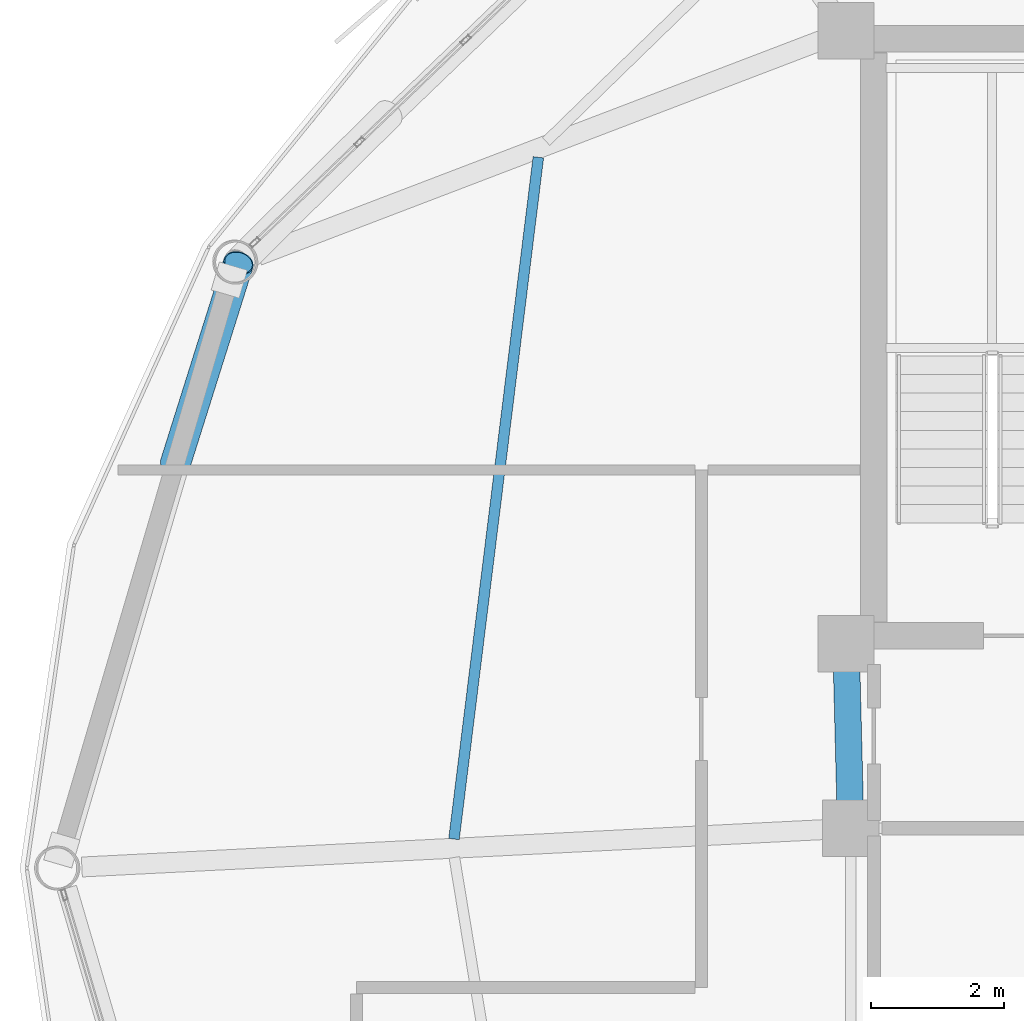
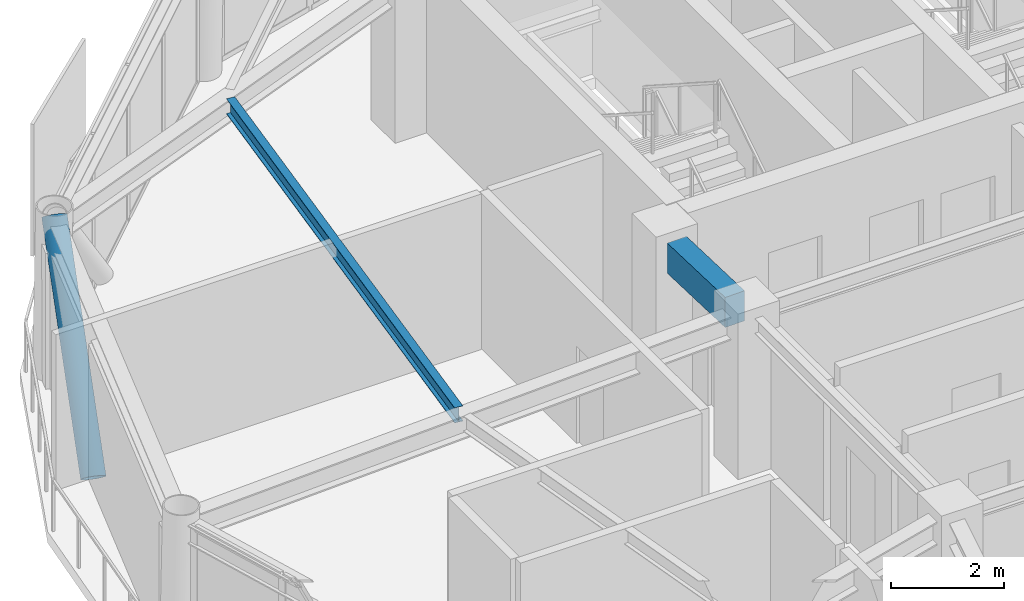
# One storey, part 12 of 28: 2 beams, 1 member.
"""IFC4 building model written with IfcOpenShell, lengths in metres."""

from ifc_helpers import new_model, si_unit, direction, frame, origin, origin_2d, place, context, subcontext, project, spatial, rectangle, hollow_circle, i_section, extrude, material, material_profile, profile_set, type_object, element, save


model = new_model("IFC4")

# Units and contexts
model_context = context("Model", 3, precision=1e-05, world=origin(), true_north=direction((0.0, 1.0)))
body_context = subcontext(model_context, "Body", "Model", "MODEL_VIEW")
ifc_project = project(units=[si_unit("LENGTHUNIT", "METRE"), si_unit("AREAUNIT", "SQUARE_METRE"), si_unit("VOLUMEUNIT", "CUBIC_METRE"), si_unit("PLANEANGLEUNIT", "RADIAN"), si_unit("MASSUNIT", "GRAM", prefix="KILO")], contexts=[model_context])

# Site, building, storey
site_placement = place(None, origin())
site = spatial("IfcSite", under=ifc_project, at=site_placement, CompositionType="ELEMENT")
building_placement = place(site_placement, origin())
building = spatial("IfcBuilding", under=site, at=building_placement, Name="Varnakorn Sky Granary", CompositionType="ELEMENT")
storey_placement = place(building_placement, frame((0.0, 0.0, 211.199951171875)))
storey = spatial("IfcBuildingStorey", under=building, at=storey_placement, Name="L53", CompositionType="ELEMENT", Elevation=211.199951171875)

# Beams
ifc_material_1 = material(Name="Concrete C50/60", Category="concrete")
ifc_material_profile_1 = material_profile(ifc_material_1, rectangle(XDim=0.39990234375, YDim=0.64990234375, at=origin_2d()), Name="RC 400x650")
ifc_profile_set_1 = profile_set([ifc_material_profile_1], Name="Concrete C50/60")
beam_type_1 = type_object("IfcBeamType", Name="BM-LIN-650", PredefinedType="LINTEL", material=ifc_profile_set_1)
beam_1_placement = place(storey_placement, frame((-2.409912109375, 2.97509765625, 3.03515625), z_axis=(0.025270737467, -0.99968064392, 0.0), x_axis=(0.99968064392, 0.025270737467, 0.0)))
element("IfcBeam", 1, at=beam_1_placement, inside=storey, type_object=beam_type_1, Name="Core Spine Framing Beam 1 L53", PredefinedType="LINTEL", context=body_context, shape_type="SweptSolid", body=[
    extrude(rectangle(XDim=0.39990234375, YDim=0.64990234375, at=origin_2d()), origin(), (0.0, 0.0, 1.0), 1.970947265625),
])
ifc_material_2 = material(Name="Steel S355JR", Category="steel")
ifc_material_profile_2 = material_profile(ifc_material_2, i_section(OverallWidth=0.159912109375, OverallDepth=0.330078125, WebThickness=0.007568359375, FlangeThickness=0.011474609375, at=origin_2d()), Name="IPE 330")
ifc_profile_set_2 = profile_set([ifc_material_profile_2], Name="Steel S355JR")
beam_type_2 = type_object("IfcBeamType", Name="BM-SEC-Z4", PredefinedType="BEAM", material=ifc_profile_set_2)
beam_2_placement = place(storey_placement, frame((-7.058349609375, 10.715576171875, 3.195068359375), z_axis=(-0.122810344525, -0.992430158388, 0.0), x_axis=(0.992430158388, -0.122810344525, 0.0)))
element("IfcBeam", 2, at=beam_2_placement, inside=storey, type_object=beam_type_2, Name="Secondary Floor Chord Beam MSB06 L53", PredefinedType="BEAM", context=body_context, shape_type="SweptSolid", body=[
    extrude(i_section(OverallWidth=0.159912109375, OverallDepth=0.330078125, WebThickness=0.007568359375, FlangeThickness=0.011474609375, at=origin_2d()), origin(), (0.0, 0.0, 1.0), 10.357177734375),
])

# Member
ifc_material_3 = material(Name="Steel S460M", Category="steel")
ifc_material_profile_3 = material_profile(ifc_material_3, hollow_circle(Radius=0.228515625, WallThickness=0.01611328125, at=origin_2d()), Name="CHS 457x16")
ifc_profile_set_3 = profile_set([ifc_material_profile_3], Name="Steel S460M")
member_type = type_object("IfcMemberType", Name="MB-DIAG-T3", PredefinedType="BRACE", material=ifc_profile_set_3)
member_placement = place(storey_placement, frame((-12.53271484375, 6.092041015625, -0.1298828125), z_axis=(0.202198700696, 0.64193430899, 0.73961883993), x_axis=(-0.953803161755, 0.300432236329, 0.0)))
element("IfcMember", 3, at=member_placement, inside=storey, type_object=member_type, Name="Perimeter CHS Diagrid Brace DG06 L53", PredefinedType="BRACE", context=body_context, shape_type="SweptSolid", body=[
    extrude(hollow_circle(Radius=0.228515625, WallThickness=0.01611328125, at=origin_2d()), origin(), (0.0, 0.0, 1.0), 4.71875),
])

save(model, "model.ifc")
